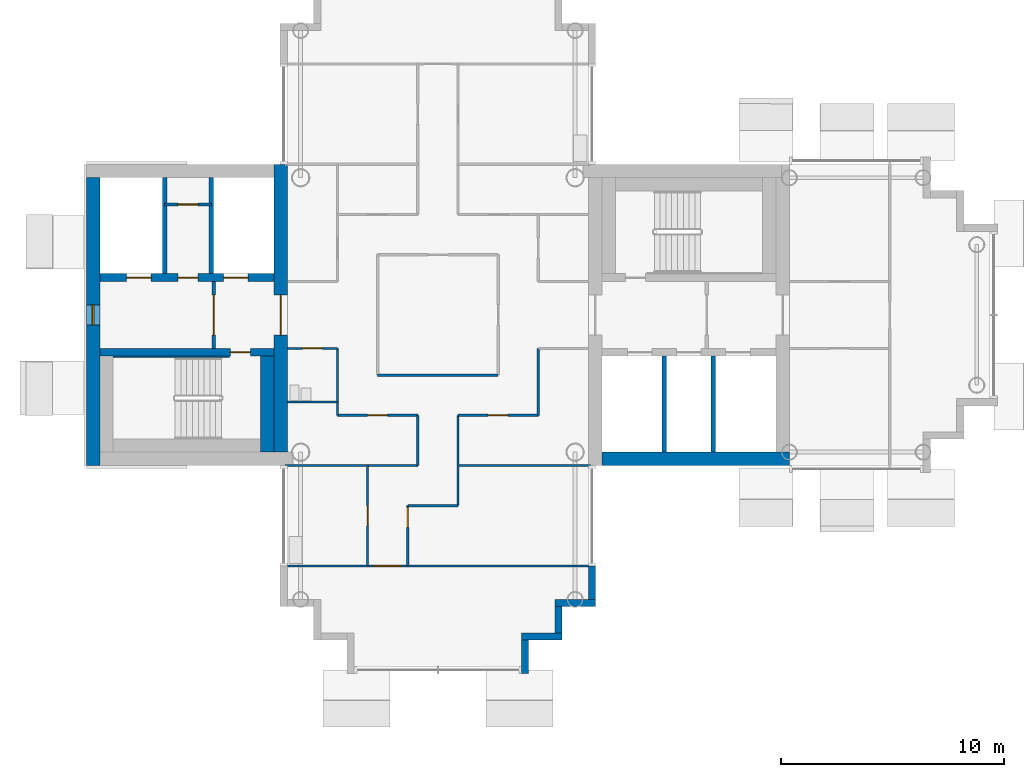
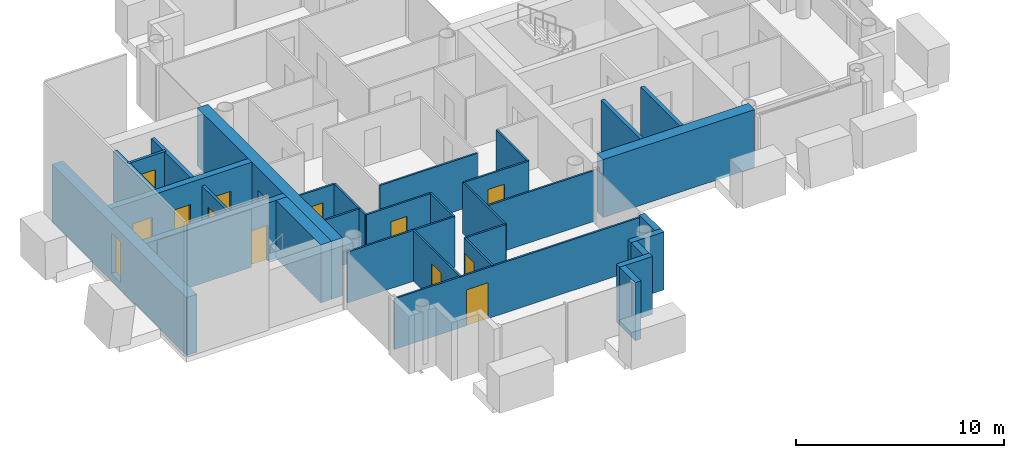
# One storey, part 6 of 18: 33 walls, 13 doors, 1 window, 14 openings.
"""IFC4 building model written with IfcOpenShell, lengths in metres."""

from ifc_helpers import new_model, si_unit, direction, frame, frame_2d, origin, place, context, subcontext, project, spatial, rectangle, extrude, material, layer, layer_set, type_object, element, fill, save


model = new_model("IFC4")

# Units and contexts
model_context = context("Model", 3, precision=1e-05, world=origin(), true_north=direction((0.0, 1.0)))
body_context = subcontext(model_context, "Body", "Model", "MODEL_VIEW")
ifc_project = project(units=[si_unit("LENGTHUNIT", "METRE"), si_unit("AREAUNIT", "SQUARE_METRE"), si_unit("VOLUMEUNIT", "CUBIC_METRE"), si_unit("PLANEANGLEUNIT", "RADIAN"), si_unit("MASSUNIT", "GRAM", prefix="KILO")], contexts=[model_context])

# Site, building, storey
site_placement = place(None, origin())
site = spatial("IfcSite", under=ifc_project, at=site_placement, CompositionType="ELEMENT")
building_placement = place(site_placement, origin())
building = spatial("IfcBuilding", under=site, at=building_placement, Name="Ipe Terrace Towers", CompositionType="ELEMENT")
storey_placement = place(building_placement, frame((0.0, 0.0, 230.0)))
storey = spatial("IfcBuildingStorey", under=building, at=storey_placement, Name="L64", CompositionType="ELEMENT", Elevation=230.0)

# Walls
ifc_material_1 = material(Name="Concrete C40/50 with buff precast cladding", Category="concrete")
ifc_layer_1 = layer(ifc_material_1, 0.320068359375)
ifc_layer_set_1 = layer_set([ifc_layer_1], Name="BUFF CLADDING WALL 320")
wall_type_1 = type_object("IfcWallType", Name="BUFF CLADDING WALL 320", PredefinedType="STANDARD", material=ifc_layer_set_1)
wall_1_placement = place(storey_placement, frame((-32.090087890625, -16.070068359375, -0.300048828125), z_axis=(0.0, 0.0, 1.0), x_axis=(0.0, 1.0, 0.0)))
element("IfcWall", 1, at=wall_1_placement, inside=storey, type_object=wall_type_1, Name="T1-W-L64-09a wall", PredefinedType="STANDARD", context=body_context, shape_type="SweptSolid", body=[
    extrude(rectangle(XDim=1.5, YDim=0.320068359375, at=frame_2d((0.75, 0.0))), origin(), (0.0, 0.0, 1.0), 3.400146484375),
])
wall_2_placement = place(storey_placement, frame((-32.25, -14.409912109375, -0.300048828125), z_axis=(0.0, 0.0, 1.0), x_axis=(1.0, 0.0, 0.0)))
element("IfcWall", 2, at=wall_2_placement, inside=storey, type_object=wall_type_1, Name="T1-W-L64-10a wall", PredefinedType="STANDARD", context=body_context, shape_type="SweptSolid", body=[
    extrude(rectangle(XDim=1.820068359375, YDim=0.320068359375, at=frame_2d((0.91015625, 0.0))), origin(), (0.0, 0.0, 1.0), 3.400146484375),
])
wall_3_placement = place(storey_placement, frame((-30.590087890625, -14.25, -0.300048828125), z_axis=(0.0, 0.0, 1.0), x_axis=(0.0, 1.0, 0.0)))
element("IfcWall", 3, at=wall_3_placement, inside=storey, type_object=wall_type_1, Name="T1-W-L64-11a wall", PredefinedType="STANDARD", context=body_context, shape_type="SweptSolid", body=[
    extrude(rectangle(XDim=1.179931640625, YDim=0.320068359375, at=frame_2d((0.58984375, 0.0))), origin(), (0.0, 0.0, 1.0), 3.400146484375),
])
wall_4_placement = place(storey_placement, frame((-30.75, -12.909912109375, -0.300048828125), z_axis=(0.0, 0.0, 1.0), x_axis=(1.0, 0.0, 0.0)))
element("IfcWall", 4, at=wall_4_placement, inside=storey, type_object=wall_type_1, Name="T1-W-L64-12a wall", PredefinedType="STANDARD", context=body_context, shape_type="SweptSolid", body=[
    extrude(rectangle(XDim=1.820068359375, YDim=0.320068359375, at=frame_2d((0.91015625, 0.0))), origin(), (0.0, 0.0, 1.0), 3.400146484375),
])
wall_5_placement = place(storey_placement, frame((-29.090087890625, -12.75, -0.300048828125), z_axis=(0.0, 0.0, 1.0), x_axis=(0.0, 1.0, 0.0)))
element("IfcWall", 5, at=wall_5_placement, inside=storey, type_object=wall_type_1, Name="T1-W-L64-13a wall", PredefinedType="STANDARD", context=body_context, shape_type="SweptSolid", body=[
    extrude(rectangle(XDim=1.5, YDim=0.320068359375, at=frame_2d((0.75, 0.0))), origin(), (0.0, 0.0, 1.0), 3.400146484375),
])
ifc_material_2 = material(Name="Gypsum board partition", Category="plasterboard")
ifc_layer_2 = layer(ifc_material_2, 0.10009765625)
ifc_layer_set_2 = layer_set([ifc_layer_2], Name="Gypsum board partition 100 mm")
wall_type_2 = type_object("IfcWallType", Name="Gypsum board partition 100 mm", PredefinedType="PARTITIONING", material=ifc_layer_set_2)
wall_6_placement = place(storey_placement, frame((-40.5, -4.5, 0.0), z_axis=(0.0, 0.0, 1.0), x_axis=(0.0, 1.0, 0.0)))
element("IfcWall", 6, at=wall_6_placement, inside=storey, type_object=wall_type_2, Name="Gypsum board partition T1 L64 W01", PredefinedType="PARTITIONING", context=body_context, shape_type="SweptSolid", body=[
    extrude(rectangle(XDim=3.0, YDim=0.10009765625, at=frame_2d((1.5, 0.0))), origin(), (0.0, 0.0, 1.0), 2.97998046875),
])

# Wall, opening, door
wall_7_placement = place(storey_placement, frame((-39.14990234375, -11.25, 0.0), z_axis=(0.0, 0.0, 1.0), x_axis=(0.0, 1.0, 0.0)))
wall_7 = element("IfcWall", 7, at=wall_7_placement, inside=storey, type_object=wall_type_2, Name="Gypsum board partition T1 L64 W03", PredefinedType="PARTITIONING", context=body_context, shape_type="SweptSolid", body=[
    extrude(rectangle(XDim=4.5, YDim=0.10009765625, at=frame_2d((2.25, 0.0))), origin(), (0.0, 0.0, 1.0), 2.97998046875),
])
opening_1_placement = place(wall_7_placement, frame((1.800048828125, 0.0, 0.0)))
opening_1 = element("IfcOpeningElement", 8, at=opening_1_placement, cuts=wall_7, Name="Opening T1-Z4B-14", PredefinedType="OPENING", context=body_context, shape_type="SweptSolid", body=[
    extrude(rectangle(XDim=0.89990234375, YDim=2.10009765625, at=frame_2d((0.449951171875, 1.050048828125))), frame((0.0, 0.06005859375, 0.0), z_axis=(0.0, -1.0, 0.0), x_axis=(1.0, 0.0, 0.0)), (0.0, 0.0, 1.0), 0.1201171875),
])
ifc_material_3 = material(Name="Timber door leaf", Category="wood")
door_type_1 = type_object("IfcDoorType", Name="Lounge door 900 x 2100", OperationType="NOTDEFINED", PredefinedType="DOOR", material=ifc_material_3)
door_1_placement = place(opening_1_placement, origin())
door_1 = element("IfcDoor", 9, at=door_1_placement, inside=storey, type_object=door_type_1, Name="Lounge door T1-Z4B-14", OperationType="SINGLE_SWING_LEFT", OverallHeight=2.10009765625, OverallWidth=0.89990234375, PredefinedType="DOOR", context=body_context, shape_type="SweptSolid", body=[
    extrude(rectangle(XDim=0.89990234375, YDim=2.10009765625, at=frame_2d((0.449951171875, 1.050048828125))), frame((0.0, 0.02490234375, 0.0), z_axis=(0.0, -1.0, 0.0), x_axis=(1.0, 0.0, 0.0)), (0.0, 0.0, 1.0), 0.050048828125),
])
fill(opening_1, door_1)

wall_8_placement = place(storey_placement, frame((-37.35009765625, -11.25, 0.0), z_axis=(0.0, 0.0, 1.0), x_axis=(0.0, 1.0, 0.0)))
wall_8 = element("IfcWall", 10, at=wall_8_placement, inside=storey, type_object=wall_type_2, Name="Gypsum board partition T1 L64 W05", PredefinedType="PARTITIONING", context=body_context, shape_type="SweptSolid", body=[
    extrude(rectangle(XDim=2.699951171875, YDim=0.10009765625, at=frame_2d((1.35009765625, 0.0))), origin(), (0.0, 0.0, 1.0), 2.97998046875),
])
opening_2_placement = place(wall_8_placement, frame((1.72998046875, 0.0, 0.0)))
opening_2 = element("IfcOpeningElement", 11, at=opening_2_placement, cuts=wall_8, Name="Opening T1-Z4B-13", PredefinedType="OPENING", context=body_context, shape_type="SweptSolid", body=[
    extrude(rectangle(XDim=0.89990234375, YDim=2.10009765625, at=frame_2d((0.449951171875, 1.050048828125))), frame((0.0, 0.06005859375, 0.0), z_axis=(0.0, -1.0, 0.0), x_axis=(1.0, 0.0, 0.0)), (0.0, 0.0, 1.0), 0.1201171875),
])
door_2_placement = place(opening_2_placement, origin())
door_2 = element("IfcDoor", 12, at=door_2_placement, inside=storey, type_object=door_type_1, Name="Lounge door T1-Z4B-13", OperationType="SINGLE_SWING_RIGHT", OverallHeight=2.10009765625, OverallWidth=0.89990234375, PredefinedType="DOOR", context=body_context, shape_type="SweptSolid", body=[
    extrude(rectangle(XDim=0.89990234375, YDim=2.10009765625, at=frame_2d((0.449951171875, 1.050048828125))), frame((0.0, 0.02490234375, 0.0), z_axis=(0.0, -1.0, 0.0), x_axis=(1.0, 0.0, 0.0)), (0.0, 0.0, 1.0), 0.050048828125),
])
fill(opening_2, door_2)

# Walls
wall_9_placement = place(storey_placement, frame((-36.89990234375, -6.75, 0.0), z_axis=(0.0, 0.0, 1.0), x_axis=(0.0, 1.0, 0.0)))
element("IfcWall", 13, at=wall_9_placement, inside=storey, type_object=wall_type_2, Name="Gypsum board partition T1 L64 W06", PredefinedType="PARTITIONING", context=body_context, shape_type="SweptSolid", body=[
    extrude(rectangle(XDim=2.25, YDim=0.10009765625, at=frame_2d((1.125, 0.0))), origin(), (0.0, 0.0, 1.0), 2.97998046875),
])
wall_10_placement = place(storey_placement, frame((-35.10009765625, -8.550048828125, 0.0), z_axis=(0.0, 0.0, 1.0), x_axis=(0.0, 1.0, 0.0)))
element("IfcWall", 14, at=wall_10_placement, inside=storey, type_object=wall_type_2, Name="Gypsum board partition T1 L64 W08", PredefinedType="PARTITIONING", context=body_context, shape_type="SweptSolid", body=[
    extrude(rectangle(XDim=4.050048828125, YDim=0.10009765625, at=frame_2d((2.02490234375, 0.0))), origin(), (0.0, 0.0, 1.0), 2.97998046875),
])
wall_11_placement = place(storey_placement, frame((-31.5, -4.5, 0.0), z_axis=(0.0, 0.0, 1.0), x_axis=(0.0, 1.0, 0.0)))
element("IfcWall", 15, at=wall_11_placement, inside=storey, type_object=wall_type_2, Name="Gypsum board partition T1 L64 W11", PredefinedType="PARTITIONING", context=body_context, shape_type="SweptSolid", body=[
    extrude(rectangle(XDim=3.0, YDim=0.10009765625, at=frame_2d((1.5, 0.0))), origin(), (0.0, 0.0, 1.0), 2.97998046875),
])

# Wall, opening, door
wall_12_placement = place(storey_placement, frame((-42.85009765625, -11.25, 0.0), z_axis=(0.0, 0.0, 1.0), x_axis=(1.0, 0.0, 0.0)))
wall_12 = element("IfcWall", 16, at=wall_12_placement, inside=storey, type_object=wall_type_2, Name="Gypsum board partition T1 L64 W14", PredefinedType="PARTITIONING", context=body_context, shape_type="SweptSolid", body=[
    extrude(rectangle(XDim=13.7001953125, YDim=0.10009765625, at=frame_2d((6.85009765625, 0.0))), origin(), (0.0, 0.0, 1.0), 2.97998046875),
])
opening_3_placement = place(wall_12_placement, frame((4.0, 0.0, 0.0)))
opening_3 = element("IfcOpeningElement", 17, at=opening_3_placement, cuts=wall_12, Name="Opening T1-Z4B-15", PredefinedType="OPENING", context=body_context, shape_type="SweptSolid", body=[
    extrude(rectangle(XDim=1.199951171875, YDim=2.10009765625, at=frame_2d((0.60009765625, 1.050048828125))), frame((0.0, 0.06005859375, 0.0), z_axis=(0.0, -1.0, 0.0), x_axis=(1.0, 0.0, 0.0)), (0.0, 0.0, 1.0), 0.1201171875),
])
ifc_material_4 = material(Name="Timber door leaf", Category="wood")
door_type_2 = type_object("IfcDoorType", Name="Lounge door 1200 x 2100", OperationType="NOTDEFINED", PredefinedType="DOOR", material=ifc_material_4)
door_3_placement = place(opening_3_placement, origin())
door_3 = element("IfcDoor", 18, at=door_3_placement, inside=storey, type_object=door_type_2, Name="Lounge door T1-Z4B-15", OperationType="SINGLE_SWING_LEFT", OverallHeight=2.10009765625, OverallWidth=1.199951171875, PredefinedType="DOOR", context=body_context, shape_type="SweptSolid", body=[
    extrude(rectangle(XDim=1.199951171875, YDim=2.10009765625, at=frame_2d((0.60009765625, 1.050048828125))), frame((0.0, 0.02490234375, 0.0), z_axis=(0.0, -1.0, 0.0), x_axis=(1.0, 0.0, 0.0)), (0.0, 0.0, 1.0), 0.050048828125),
])
fill(opening_3, door_3)

# Walls
wall_13_placement = place(storey_placement, frame((-37.35009765625, -8.550048828125, 0.0), z_axis=(0.0, 0.0, 1.0), x_axis=(1.0, 0.0, 0.0)))
element("IfcWall", 19, at=wall_13_placement, inside=storey, type_object=wall_type_2, Name="Gypsum board partition T1 L64 W15", PredefinedType="PARTITIONING", context=body_context, shape_type="SweptSolid", body=[
    extrude(rectangle(XDim=2.25, YDim=0.10009765625, at=frame_2d((1.125, 0.0))), origin(), (0.0, 0.0, 1.0), 2.97998046875),
])
for number, where, z_axis, x_axis, name in (
    (20, (-42.85009765625, -6.75, 0.0), (0.0, 0.0, 1.0), (1.0, 0.0, 0.0), "Gypsum board partition T1 L64 W16"),
    (21, (-35.10009765625, -6.75, 0.0), (0.0, 0.0, 1.0), (1.0, 0.0, 0.0), "Gypsum board partition T1 L64 W17"),
):
    element("IfcWall", number, at=place(storey_placement, frame(where, z_axis=z_axis, x_axis=x_axis)), inside=storey, type_object=wall_type_2, Name=name, PredefinedType="PARTITIONING", context=body_context, shape_type="SweptSolid", body=[
        extrude(rectangle(XDim=5.9501953125, YDim=0.10009765625, at=frame_2d((2.97509765625, 0.0))), origin(), (0.0, 0.0, 1.0), 2.97998046875),
    ])

# Wall, opening, door
wall_14_placement = place(storey_placement, frame((-40.5, -4.5, 0.0), z_axis=(0.0, 0.0, 1.0), x_axis=(1.0, 0.0, 0.0)))
wall_14 = element("IfcWall", 22, at=wall_14_placement, inside=storey, type_object=wall_type_2, Name="Gypsum board partition T1 L64 W18", PredefinedType="PARTITIONING", context=body_context, shape_type="SweptSolid", body=[
    extrude(rectangle(XDim=3.60009765625, YDim=0.10009765625, at=frame_2d((1.800048828125, 0.0))), origin(), (0.0, 0.0, 1.0), 2.97998046875),
])
opening_4_placement = place(wall_14_placement, frame((1.35009765625, 0.0, 0.0)))
opening_4 = element("IfcOpeningElement", 23, at=opening_4_placement, cuts=wall_14, Name="Opening T1-Z4B-08", PredefinedType="OPENING", context=body_context, shape_type="SweptSolid", body=[
    extrude(rectangle(XDim=0.89990234375, YDim=2.10009765625, at=frame_2d((0.449951171875, 1.050048828125))), frame((0.0, 0.06005859375, 0.0), z_axis=(0.0, -1.0, 0.0), x_axis=(1.0, 0.0, 0.0)), (0.0, 0.0, 1.0), 0.1201171875),
])
door_4_placement = place(opening_4_placement, origin())
door_4 = element("IfcDoor", 24, at=door_4_placement, inside=storey, type_object=door_type_1, Name="Lounge door T1-Z4B-08", OperationType="SINGLE_SWING_LEFT", OverallHeight=2.10009765625, OverallWidth=0.89990234375, PredefinedType="DOOR", context=body_context, shape_type="SweptSolid", body=[
    extrude(rectangle(XDim=0.89990234375, YDim=2.10009765625, at=frame_2d((0.449951171875, 1.050048828125))), frame((0.0, 0.02490234375, 0.0), z_axis=(0.0, -1.0, 0.0), x_axis=(1.0, 0.0, 0.0)), (0.0, 0.0, 1.0), 0.050048828125),
])
fill(opening_4, door_4)

wall_15_placement = place(storey_placement, frame((-35.10009765625, -4.5, 0.0), z_axis=(0.0, 0.0, 1.0), x_axis=(1.0, 0.0, 0.0)))
wall_15 = element("IfcWall", 25, at=wall_15_placement, inside=storey, type_object=wall_type_2, Name="Gypsum board partition T1 L64 W19", PredefinedType="PARTITIONING", context=body_context, shape_type="SweptSolid", body=[
    extrude(rectangle(XDim=3.60009765625, YDim=0.10009765625, at=frame_2d((1.800048828125, 0.0))), origin(), (0.0, 0.0, 1.0), 2.97998046875),
])
opening_5_placement = place(wall_15_placement, frame((1.35009765625, 0.0, 0.0)))
opening_5 = element("IfcOpeningElement", 26, at=opening_5_placement, cuts=wall_15, Name="Opening T1-Z4B-09", PredefinedType="OPENING", context=body_context, shape_type="SweptSolid", body=[
    extrude(rectangle(XDim=0.89990234375, YDim=2.10009765625, at=frame_2d((0.449951171875, 1.050048828125))), frame((0.0, 0.06005859375, 0.0), z_axis=(0.0, -1.0, 0.0), x_axis=(1.0, 0.0, 0.0)), (0.0, 0.0, 1.0), 0.1201171875),
])
door_5_placement = place(opening_5_placement, origin())
door_5 = element("IfcDoor", 27, at=door_5_placement, inside=storey, type_object=door_type_1, Name="Lounge door T1-Z4B-09", OperationType="SINGLE_SWING_LEFT", OverallHeight=2.10009765625, OverallWidth=0.89990234375, PredefinedType="DOOR", context=body_context, shape_type="SweptSolid", body=[
    extrude(rectangle(XDim=0.89990234375, YDim=2.10009765625, at=frame_2d((0.449951171875, 1.050048828125))), frame((0.0, 0.02490234375, 0.0), z_axis=(0.0, -1.0, 0.0), x_axis=(1.0, 0.0, 0.0)), (0.0, 0.0, 1.0), 0.050048828125),
])
fill(opening_5, door_5)

# Walls
wall_16_placement = place(storey_placement, frame((-42.75, -3.89990234375, 0.0), z_axis=(0.0, 0.0, 1.0), x_axis=(1.0, 0.0, 0.0)))
element("IfcWall", 28, at=wall_16_placement, inside=storey, type_object=wall_type_2, Name="Gypsum board partition T1 L64 W20", PredefinedType="PARTITIONING", context=body_context, shape_type="SweptSolid", body=[
    extrude(rectangle(XDim=2.25, YDim=0.10009765625, at=frame_2d((1.125, 0.0))), origin(), (0.0, 0.0, 1.0), 2.97998046875),
])
wall_17_placement = place(storey_placement, frame((-38.699951171875, -2.699951171875, 0.0), z_axis=(0.0, 0.0, 1.0), x_axis=(1.0, 0.0, 0.0)))
element("IfcWall", 29, at=wall_17_placement, inside=storey, type_object=wall_type_2, Name="Gypsum board partition T1 L64 W21", PredefinedType="PARTITIONING", context=body_context, shape_type="SweptSolid", body=[
    extrude(rectangle(XDim=5.39990234375, YDim=0.10009765625, at=frame_2d((2.699951171875, 0.0))), origin(), (0.0, 0.0, 1.0), 2.97998046875),
])

# Wall, opening, door
wall_18_placement = place(storey_placement, frame((-42.75, -1.5, 0.0), z_axis=(0.0, 0.0, 1.0), x_axis=(1.0, 0.0, 0.0)))
wall_18 = element("IfcWall", 30, at=wall_18_placement, inside=storey, type_object=wall_type_2, Name="Gypsum board partition T1 L64 W22", PredefinedType="PARTITIONING", context=body_context, shape_type="SweptSolid", body=[
    extrude(rectangle(XDim=2.25, YDim=0.10009765625, at=frame_2d((1.125, 0.0))), origin(), (0.0, 0.0, 1.0), 2.97998046875),
])
opening_6_placement = place(wall_18_placement, frame((0.675048828125, 0.0, 0.0)))
opening_6 = element("IfcOpeningElement", 31, at=opening_6_placement, cuts=wall_18, Name="Opening T1-Z4B-03", PredefinedType="OPENING", context=body_context, shape_type="SweptSolid", body=[
    extrude(rectangle(XDim=0.89990234375, YDim=2.10009765625, at=frame_2d((0.449951171875, 1.050048828125))), frame((0.0, 0.06005859375, 0.0), z_axis=(0.0, -1.0, 0.0), x_axis=(1.0, 0.0, 0.0)), (0.0, 0.0, 1.0), 0.1201171875),
])
ifc_material_5 = material(Name="Timber door leaf", Category="wood")
door_type_3 = type_object("IfcDoorType", Name="Bathroom door 900 x 2100", OperationType="NOTDEFINED", PredefinedType="DOOR", material=ifc_material_5)
door_6_placement = place(opening_6_placement, origin())
door_6 = element("IfcDoor", 32, at=door_6_placement, inside=storey, type_object=door_type_3, Name="Bathroom door T1-Z4B-03", OperationType="SINGLE_SWING_RIGHT", OverallHeight=2.10009765625, OverallWidth=0.89990234375, PredefinedType="DOOR", context=body_context, shape_type="SweptSolid", body=[
    extrude(rectangle(XDim=0.89990234375, YDim=2.10009765625, at=frame_2d((0.449951171875, 1.050048828125))), frame((0.0, 0.02490234375, 0.0), z_axis=(0.0, -1.0, 0.0), x_axis=(1.0, 0.0, 0.0)), (0.0, 0.0, 1.0), 0.050048828125),
])
fill(opening_6, door_6)

ifc_material_6 = material(Name="Gypsum board partition", Category="plasterboard")
ifc_layer_3 = layer(ifc_material_6, 0.14990234375)
ifc_layer_set_3 = layer_set([ifc_layer_3], Name="Gypsum board partition 150 mm")
wall_type_3 = type_object("IfcWallType", Name="Gypsum board partition 150 mm", PredefinedType="PARTITIONING", material=ifc_layer_set_3)
wall_19_placement = place(storey_placement, frame((-46.050048828125, 1.5, 0.0), z_axis=(0.0, 0.0, 1.0), x_axis=(0.0, -1.0, 0.0)))
wall_19 = element("IfcWall", 33, at=wall_19_placement, inside=storey, type_object=wall_type_3, Name="Gypsum board partition T1 L64 t1c2-lobby-wall", PredefinedType="PARTITIONING", context=body_context, shape_type="SweptSolid", body=[
    extrude(rectangle(XDim=3.0, YDim=0.14990234375, at=frame_2d((1.5, 0.0))), origin(), (0.0, 0.0, 1.0), 2.97998046875),
])
opening_7_placement = place(wall_19_placement, frame((0.60009765625, 0.0, 0.0)))
opening_7 = element("IfcOpeningElement", 34, at=opening_7_placement, cuts=wall_19, Name="Opening T1C2-VD", PredefinedType="OPENING", context=body_context, shape_type="SweptSolid", body=[
    extrude(rectangle(XDim=1.800048828125, YDim=2.10009765625, at=frame_2d((0.89990234375, 1.050048828125))), frame((0.0, 0.0849609375, 0.0), z_axis=(0.0, -1.0, 0.0), x_axis=(1.0, 0.0, 0.0)), (0.0, 0.0, 1.0), 0.169921875),
])
ifc_material_7 = material(Name="Fire-rated timber door leaf", Category="wood")
door_type_4 = type_object("IfcDoorType", Name="Lobby door 1800 x 2100 FD60", OperationType="NOTDEFINED", PredefinedType="DOOR", material=ifc_material_7)
door_7_placement = place(opening_7_placement, origin())
door_7 = element("IfcDoor", 35, at=door_7_placement, inside=storey, type_object=door_type_4, Name="Lobby door T1C2-VD", OperationType="SINGLE_SWING_LEFT", OverallHeight=2.10009765625, OverallWidth=1.800048828125, PredefinedType="DOOR", context=body_context, shape_type="SweptSolid", body=[
    extrude(rectangle(XDim=1.800048828125, YDim=2.10009765625, at=frame_2d((0.89990234375, 1.050048828125))), frame((0.0, 0.02490234375, 0.0), z_axis=(0.0, -1.0, 0.0), x_axis=(1.0, 0.0, 0.0)), (0.0, 0.0, 1.0), 0.050048828125),
])
fill(opening_7, door_7)

wall_20_placement = place(storey_placement, frame((-46.14990234375, 4.949951171875, 0.0), z_axis=(0.0, 0.0, 1.0), x_axis=(-1.0, 0.0, 0.0)))
wall_20 = element("IfcWall", 36, at=wall_20_placement, inside=storey, type_object=wall_type_3, Name="Gypsum board partition T1 L64 t1c2-q-back", PredefinedType="PARTITIONING", context=body_context, shape_type="SweptSolid", body=[
    extrude(rectangle(XDim=2.10009765625, YDim=0.14990234375, at=frame_2d((1.050048828125, 0.0))), origin(), (0.0, 0.0, 1.0), 2.97998046875),
])
opening_8_placement = place(wall_20_placement, frame((0.60009765625, 0.0, 0.0)))
opening_8 = element("IfcOpeningElement", 37, at=opening_8_placement, cuts=wall_20, Name="Opening T1C2-RB", PredefinedType="OPENING", context=body_context, shape_type="SweptSolid", body=[
    extrude(rectangle(XDim=0.89990234375, YDim=2.10009765625, at=frame_2d((0.449951171875, 1.050048828125))), frame((0.0, 0.0849609375, 0.0), z_axis=(0.0, -1.0, 0.0), x_axis=(1.0, 0.0, 0.0)), (0.0, 0.0, 1.0), 0.169921875),
])
ifc_material_8 = material(Name="Fire-rated timber door leaf", Category="wood")
door_type_5 = type_object("IfcDoorType", Name="Service door 900 x 2100 FD60", OperationType="NOTDEFINED", PredefinedType="DOOR", material=ifc_material_8)
door_8_placement = place(opening_8_placement, origin())
door_8 = element("IfcDoor", 38, at=door_8_placement, inside=storey, type_object=door_type_5, Name="Service door T1C2-RB", OperationType="SINGLE_SWING_LEFT", OverallHeight=2.10009765625, OverallWidth=0.89990234375, PredefinedType="DOOR", context=body_context, shape_type="SweptSolid", body=[
    extrude(rectangle(XDim=0.89990234375, YDim=2.10009765625, at=frame_2d((0.449951171875, 1.050048828125))), frame((0.0, 0.02490234375, 0.0), z_axis=(0.0, -1.0, 0.0), x_axis=(1.0, 0.0, 0.0)), (0.0, 0.0, 1.0), 0.050048828125),
])
fill(opening_8, door_8)

# Walls
ifc_material_9 = material(Name="Gypsum board party wall", Category="plasterboard")
ifc_layer_4 = layer(ifc_material_9, 0.199951171875)
ifc_layer_set_4 = layer_set([ifc_layer_4], Name="Gypsum board party wall 200 mm")
wall_type_4 = type_object("IfcWallType", Name="Gypsum board party wall 200 mm", PredefinedType="SOLIDWALL", material=ifc_layer_set_4)
for number, where, z_axis, x_axis, name in (
    (39, (-25.85009765625, -6.14990234375, 0.0), (0.0, 0.0, 1.0), (0.0, 1.0, 0.0), "Gypsum board party wall T1 L64 t1c1-shaft-div1"),
    (40, (-23.64990234375, -6.14990234375, 0.0), (0.0, 0.0, 1.0), (0.0, 1.0, 0.0), "Gypsum board party wall T1 L64 t1c1-shaft-div2"),
    (41, (-48.25, 6.14990234375, 0.0), (0.0, 0.0, 1.0), (0.0, -1.0, 0.0), "Gypsum board party wall T1 L64 t1c2-shaft-div2"),
    (42, (-46.14990234375, 6.14990234375, 0.0), (0.0, 0.0, 1.0), (0.0, -1.0, 0.0), "Gypsum board party wall T1 L64 t1c2-shaft-div1"),
):
    element("IfcWall", number, at=place(storey_placement, frame(where, z_axis=z_axis, x_axis=x_axis)), inside=storey, type_object=wall_type_4, Name=name, PredefinedType="SOLIDWALL", context=body_context, shape_type="SweptSolid", body=[
        extrude(rectangle(XDim=4.2998046875, YDim=0.199951171875, at=frame_2d((2.14990234375, 0.0))), origin(), (0.0, 0.0, 1.0), 2.97998046875),
    ])

# Wall, opening, door
ifc_material_10 = material(Name="Concrete C40/50", Category="concrete")
ifc_layer_5 = layer(ifc_material_10, 0.35009765625)
ifc_layer_set_5 = layer_set([ifc_layer_5], Name="RW350 CORE SPINE WALL 350 C40-50")
wall_type_5 = type_object("IfcWallType", Name="RW350 CORE SPINE WALL 350 C40-50", PredefinedType="SHEAR", material=ifc_layer_set_5)
wall_21_placement = place(storey_placement, frame((-51.14990234375, -1.675048828125, 0.0), z_axis=(0.0, 0.0, 1.0), x_axis=(1.0, 0.0, 0.0)))
wall_21 = element("IfcWall", 43, at=wall_21_placement, inside=storey, type_object=wall_type_5, Name="Core spine wall T1-C2-Z4-SW1", PredefinedType="SHEAR", context=body_context, shape_type="SweptSolid", body=[
    extrude(rectangle(XDim=7.7998046875, YDim=0.35009765625, at=frame_2d((3.89990234375, 0.0))), origin(), (0.0, 0.0, 1.0), 3.39990234375),
])
opening_9_placement = place(wall_21_placement, frame((5.85009765625, 0.0, 0.0)))
opening_9 = element("IfcOpeningElement", 44, at=opening_9_placement, cuts=wall_21, Name="Opening T1C2-SD", PredefinedType="OPENING", context=body_context, shape_type="SweptSolid", body=[
    extrude(rectangle(XDim=0.89990234375, YDim=2.10009765625, at=frame_2d((0.449951171875, 1.050048828125))), frame((0.0, 0.18505859375, 0.0), z_axis=(0.0, -1.0, 0.0), x_axis=(1.0, 0.0, 0.0)), (0.0, 0.0, 1.0), 0.3701171875),
])
ifc_material_11 = material(Name="Fire-rated timber door leaf", Category="wood")
door_type_6 = type_object("IfcDoorType", Name="Stair door 900 x 2100 FD60", OperationType="NOTDEFINED", PredefinedType="DOOR", material=ifc_material_11)
door_9_placement = place(opening_9_placement, origin())
door_9 = element("IfcDoor", 45, at=door_9_placement, inside=storey, type_object=door_type_6, Name="Stair door T1C2-SD", OperationType="SINGLE_SWING_RIGHT", OverallHeight=2.10009765625, OverallWidth=0.89990234375, PredefinedType="DOOR", context=body_context, shape_type="SweptSolid", body=[
    extrude(rectangle(XDim=0.89990234375, YDim=2.10009765625, at=frame_2d((0.449951171875, 1.050048828125))), frame((0.0, 0.02490234375, 0.0), z_axis=(0.0, -1.0, 0.0), x_axis=(1.0, 0.0, 0.0)), (0.0, 0.0, 1.0), 0.050048828125),
])
fill(opening_9, door_9)

# Wall, openings, doors
wall_22_placement = place(storey_placement, frame((-51.14990234375, 1.675048828125, 0.0), z_axis=(0.0, 0.0, 1.0), x_axis=(1.0, 0.0, 0.0)))
wall_22 = element("IfcWall", 46, at=wall_22_placement, inside=storey, type_object=wall_type_5, Name="Core spine wall T1-C2-Z4-SW2", PredefinedType="SHEAR", context=body_context, shape_type="SweptSolid", body=[
    extrude(rectangle(XDim=7.7998046875, YDim=0.35009765625, at=frame_2d((3.89990234375, 0.0))), origin(), (0.0, 0.0, 1.0), 3.39990234375),
])
opening_10_placement = place(wall_22_placement, frame((5.550048828125, 0.0, 0.0)))
opening_10 = element("IfcOpeningElement", 47, at=opening_10_placement, cuts=wall_22, Name="Opening T1C2-LD1", PredefinedType="OPENING", context=body_context, shape_type="SweptSolid", body=[
    extrude(rectangle(XDim=1.10009765625, YDim=2.10009765625, at=frame_2d((0.550048828125, 1.050048828125))), frame((0.0, 0.18505859375, 0.0), z_axis=(0.0, -1.0, 0.0), x_axis=(1.0, 0.0, 0.0)), (0.0, 0.0, 1.0), 0.3701171875),
])
opening_11_placement = place(wall_22_placement, frame((1.199951171875, 0.0, 0.0)))
opening_11 = element("IfcOpeningElement", 48, at=opening_11_placement, cuts=wall_22, Name="Opening T1C2-LD3", PredefinedType="OPENING", context=body_context, shape_type="SweptSolid", body=[
    extrude(rectangle(XDim=1.10009765625, YDim=2.10009765625, at=frame_2d((0.550048828125, 1.050048828125))), frame((0.0, 0.18505859375, 0.0), z_axis=(0.0, -1.0, 0.0), x_axis=(1.0, 0.0, 0.0)), (0.0, 0.0, 1.0), 0.3701171875),
])
opening_12_placement = place(wall_22_placement, frame((3.5, 0.0, 0.0)))
opening_12 = element("IfcOpeningElement", 49, at=opening_12_placement, cuts=wall_22, Name="Opening T1C2-R1-NR", PredefinedType="OPENING", context=body_context, shape_type="SweptSolid", body=[
    extrude(rectangle(XDim=0.89990234375, YDim=2.10009765625, at=frame_2d((0.449951171875, 1.050048828125))), frame((0.0, 0.18505859375, 0.0), z_axis=(0.0, -1.0, 0.0), x_axis=(1.0, 0.0, 0.0)), (0.0, 0.0, 1.0), 0.3701171875),
])
ifc_material_12 = material(Name="Fire-rated timber door leaf", Category="wood")
door_type_7 = type_object("IfcDoorType", Name="Sliding door 1100 x 2100 FD60", OperationType="SLIDING_TO_LEFT", PredefinedType="DOOR", material=ifc_material_12)
door_10_placement = place(opening_10_placement, origin())
door_10 = element("IfcDoor", 50, at=door_10_placement, inside=storey, type_object=door_type_7, Name="Sliding door T1C2-LD1", OperationType="SLIDING_TO_LEFT", OverallHeight=2.10009765625, OverallWidth=1.10009765625, PredefinedType="DOOR", context=body_context, shape_type="SweptSolid", body=[
    extrude(rectangle(XDim=1.10009765625, YDim=2.10009765625, at=frame_2d((0.550048828125, 1.050048828125))), frame((0.0, 0.02490234375, 0.0), z_axis=(0.0, -1.0, 0.0), x_axis=(1.0, 0.0, 0.0)), (0.0, 0.0, 1.0), 0.050048828125),
])
fill(opening_10, door_10)
door_11_placement = place(opening_11_placement, origin())
door_11 = element("IfcDoor", 51, at=door_11_placement, inside=storey, type_object=door_type_7, Name="Sliding door T1C2-LD3", OperationType="SLIDING_TO_LEFT", OverallHeight=2.10009765625, OverallWidth=1.10009765625, PredefinedType="DOOR", context=body_context, shape_type="SweptSolid", body=[
    extrude(rectangle(XDim=1.10009765625, YDim=2.10009765625, at=frame_2d((0.550048828125, 1.050048828125))), frame((0.0, 0.02490234375, 0.0), z_axis=(0.0, -1.0, 0.0), x_axis=(1.0, 0.0, 0.0)), (0.0, 0.0, 1.0), 0.050048828125),
])
fill(opening_11, door_11)
ifc_material_13 = material(Name="Timber door leaf", Category="wood")
door_type_8 = type_object("IfcDoorType", Name="Store door 900 x 2100", OperationType="NOTDEFINED", PredefinedType="DOOR", material=ifc_material_13)
door_12_placement = place(opening_12_placement, origin())
door_12 = element("IfcDoor", 52, at=door_12_placement, inside=storey, type_object=door_type_8, Name="Store door T1C2-R1-NR", OperationType="SINGLE_SWING_LEFT", OverallHeight=2.10009765625, OverallWidth=0.89990234375, PredefinedType="DOOR", context=body_context, shape_type="SweptSolid", body=[
    extrude(rectangle(XDim=0.89990234375, YDim=2.10009765625, at=frame_2d((0.449951171875, 1.050048828125))), frame((0.0, 0.02490234375, 0.0), z_axis=(0.0, -1.0, 0.0), x_axis=(1.0, 0.0, 0.0)), (0.0, 0.0, 1.0), 0.050048828125),
])
fill(opening_12, door_12)

# Walls
ifc_material_14 = material(Name="Concrete C40/50", Category="concrete")
ifc_layer_6 = layer(ifc_material_14, 0.050048828125)
ifc_layer_set_6 = layer_set([ifc_layer_6], Name="RW50 CORE INFILL WALL 50 C40-50")
wall_type_6 = type_object("IfcWallType", Name="RW50 CORE INFILL WALL 50 C40-50", PredefinedType="SHEAR", material=ifc_layer_set_6)
wall_23_placement = place(storey_placement, frame((-45.35009765625, -1.875, 0.0), z_axis=(0.0, 0.0, 1.0), x_axis=(-1.0, 0.0, 0.0)))
element("IfcWall", 53, at=wall_23_placement, inside=storey, type_object=wall_type_6, Name="Core infill wall T1-C2-spine-b", PredefinedType="SHEAR", context=body_context, shape_type="SweptSolid", body=[
    extrude(rectangle(XDim=5.199951171875, YDim=0.050048828125, at=frame_2d((2.60009765625, 0.0))), origin(), (0.0, 0.0, 1.0), 3.39990234375),
])
ifc_material_15 = material(Name="Concrete C40/50", Category="concrete")
ifc_layer_7 = layer(ifc_material_15, 0.60009765625)
ifc_layer_set_7 = layer_set([ifc_layer_7], Name="RW600 CORE INFILL WALL 600 C40-50")
wall_type_7 = type_object("IfcWallType", Name="RW600 CORE INFILL WALL 600 C40-50", PredefinedType="SHEAR", material=ifc_layer_set_7)
wall_24_placement = place(storey_placement, frame((-43.64990234375, -1.85009765625, 0.0), z_axis=(0.0, 0.0, 1.0), x_axis=(0.0, -1.0, 0.0)))
element("IfcWall", 54, at=wall_24_placement, inside=storey, type_object=wall_type_7, Name="Core infill wall T1-C2-near", PredefinedType="SHEAR", context=body_context, shape_type="SweptSolid", body=[
    extrude(rectangle(XDim=4.2998046875, YDim=0.60009765625, at=frame_2d((2.14990234375, 0.0))), origin(), (0.0, 0.0, 1.0), 3.39990234375),
])
ifc_material_16 = material(Name="Concrete C40/50", Category="concrete")
ifc_layer_8 = layer(ifc_material_16, 0.60009765625)
ifc_layer_set_8 = layer_set([ifc_layer_8], Name="RW600 CORE WALL 600 C40-50")
wall_type_8 = type_object("IfcWallType", Name="RW600 CORE WALL 600 C40-50", PredefinedType="SHEAR", material=ifc_layer_set_8)
wall_25_placement = place(storey_placement, frame((-28.64990234375, -6.449951171875, 0.0), z_axis=(0.0, 0.0, 1.0), x_axis=(1.0, 0.0, 0.0)))
element("IfcWall", 55, at=wall_25_placement, inside=storey, type_object=wall_type_8, Name="Core wall T1-C1-Z4-W01", PredefinedType="SHEAR", context=body_context, shape_type="SweptSolid", body=[
    extrude(rectangle(XDim=8.39990234375, YDim=0.60009765625, at=frame_2d((4.199951171875, 0.0))), origin(), (0.0, 0.0, 1.0), 3.39990234375),
])

# Wall, opening, door
wall_26_placement = place(storey_placement, frame((-43.050048828125, -6.14990234375, 0.0), z_axis=(0.0, 0.0, 1.0), x_axis=(0.0, 1.0, 0.0)))
wall_26 = element("IfcWall", 56, at=wall_26_placement, inside=storey, type_object=wall_type_8, Name="Core wall T1-C2-Z4-W02", PredefinedType="SHEAR", context=body_context, shape_type="SweptSolid", body=[
    extrude(rectangle(XDim=12.89990234375, YDim=0.60009765625, at=frame_2d((6.449951171875, 0.0))), origin(), (0.0, 0.0, 1.0), 3.39990234375),
])
opening_13_placement = place(wall_26_placement, frame((5.25, 0.0, 0.0)))
opening_13 = element("IfcOpeningElement", 57, at=opening_13_placement, cuts=wall_26, Name="Opening T1C2-ND", PredefinedType="OPENING", context=body_context, shape_type="SweptSolid", body=[
    extrude(rectangle(XDim=1.800048828125, YDim=2.10009765625, at=frame_2d((0.89990234375, 1.050048828125))), frame((0.0, 0.31005859375, 0.0), z_axis=(0.0, -1.0, 0.0), x_axis=(1.0, 0.0, 0.0)), (0.0, 0.0, 1.0), 0.6201171875),
])
ifc_material_17 = material(Name="Fire-rated timber door leaf", Category="wood")
door_type_9 = type_object("IfcDoorType", Name="Fire door 1800 x 2100 FD30S", OperationType="NOTDEFINED", PredefinedType="DOOR", material=ifc_material_17)
door_13_placement = place(opening_13_placement, origin())
door_13 = element("IfcDoor", 58, at=door_13_placement, inside=storey, type_object=door_type_9, Name="Fire door T1C2-ND", OperationType="SINGLE_SWING_LEFT", OverallHeight=2.10009765625, OverallWidth=1.800048828125, PredefinedType="DOOR", context=body_context, shape_type="SweptSolid", body=[
    extrude(rectangle(XDim=1.800048828125, YDim=2.10009765625, at=frame_2d((0.89990234375, 1.050048828125))), frame((0.0, 0.02490234375, 0.0), z_axis=(0.0, -1.0, 0.0), x_axis=(1.0, 0.0, 0.0)), (0.0, 0.0, 1.0), 0.050048828125),
])
fill(opening_13, door_13)

# Wall, opening, window
wall_27_placement = place(storey_placement, frame((-51.449951171875, 6.14990234375, 0.0), z_axis=(0.0, 0.0, 1.0), x_axis=(0.0, -1.0, 0.0)))
wall_27 = element("IfcWall", 59, at=wall_27_placement, inside=storey, type_object=wall_type_8, Name="Core wall T1-C2-Z4-W04", PredefinedType="SHEAR", context=body_context, shape_type="SweptSolid", body=[
    extrude(rectangle(XDim=12.89990234375, YDim=0.60009765625, at=frame_2d((6.449951171875, 0.0))), origin(), (0.0, 0.0, 1.0), 3.39990234375),
])
opening_14_placement = place(wall_27_placement, frame((5.699951171875, 0.0, 0.449951171875)))
opening_14 = element("IfcOpeningElement", 60, at=opening_14_placement, cuts=wall_27, Name="Opening T1-C2-W-01-L64", PredefinedType="OPENING", context=body_context, shape_type="SweptSolid", body=[
    extrude(rectangle(XDim=0.89990234375, YDim=2.39990234375, at=frame_2d((0.449951171875, 1.199951171875))), frame((0.0, 0.31005859375, 0.0), z_axis=(0.0, -1.0, 0.0), x_axis=(1.0, 0.0, 0.0)), (0.0, 0.0, 1.0), 0.6201171875),
])
ifc_material_18 = material(Name="Fire-resistant glazing EI 60", Category="glass")
window_type = type_object("IfcWindowType", Name="CORRIDOR END SLOT WINDOW 900 x 2400 EI 60", PartitioningType="SINGLE_PANEL", PredefinedType="WINDOW", material=ifc_material_18)
window_placement = place(opening_14_placement, origin())
window = element("IfcWindow", 61, at=window_placement, inside=storey, type_object=window_type, Name="W-01 window", OverallHeight=2.39990234375, OverallWidth=0.89990234375, PartitioningType="SINGLE_PANEL", PredefinedType="WINDOW", context=body_context, shape_type="SweptSolid", body=[
    extrude(rectangle(XDim=0.89990234375, YDim=2.39990234375, at=frame_2d((0.449951171875, 1.199951171875))), frame((0.0, 0.030029296875, 0.0), z_axis=(0.0, -1.0, 0.0), x_axis=(1.0, 0.0, 0.0)), (0.0, 0.0, 1.0), 0.06005859375),
])
fill(opening_14, window)

save(model, "model.ifc")
